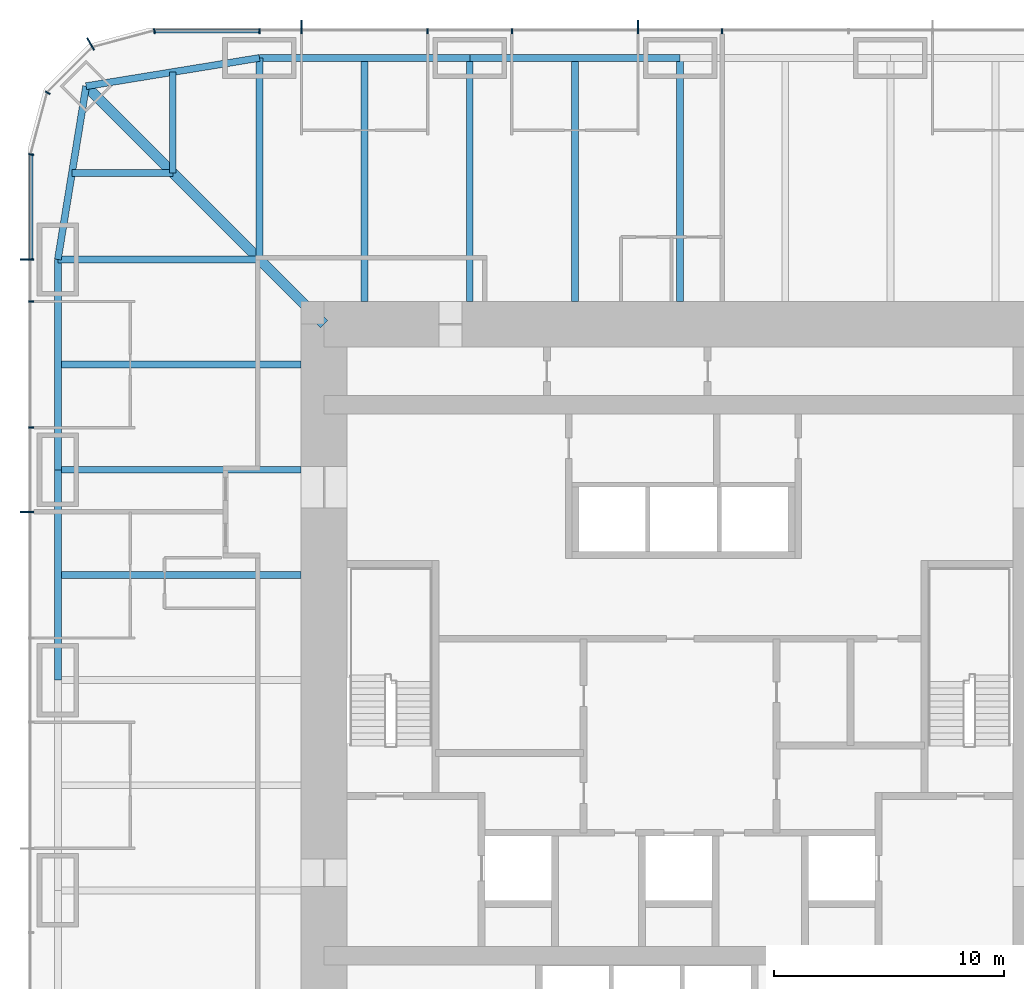
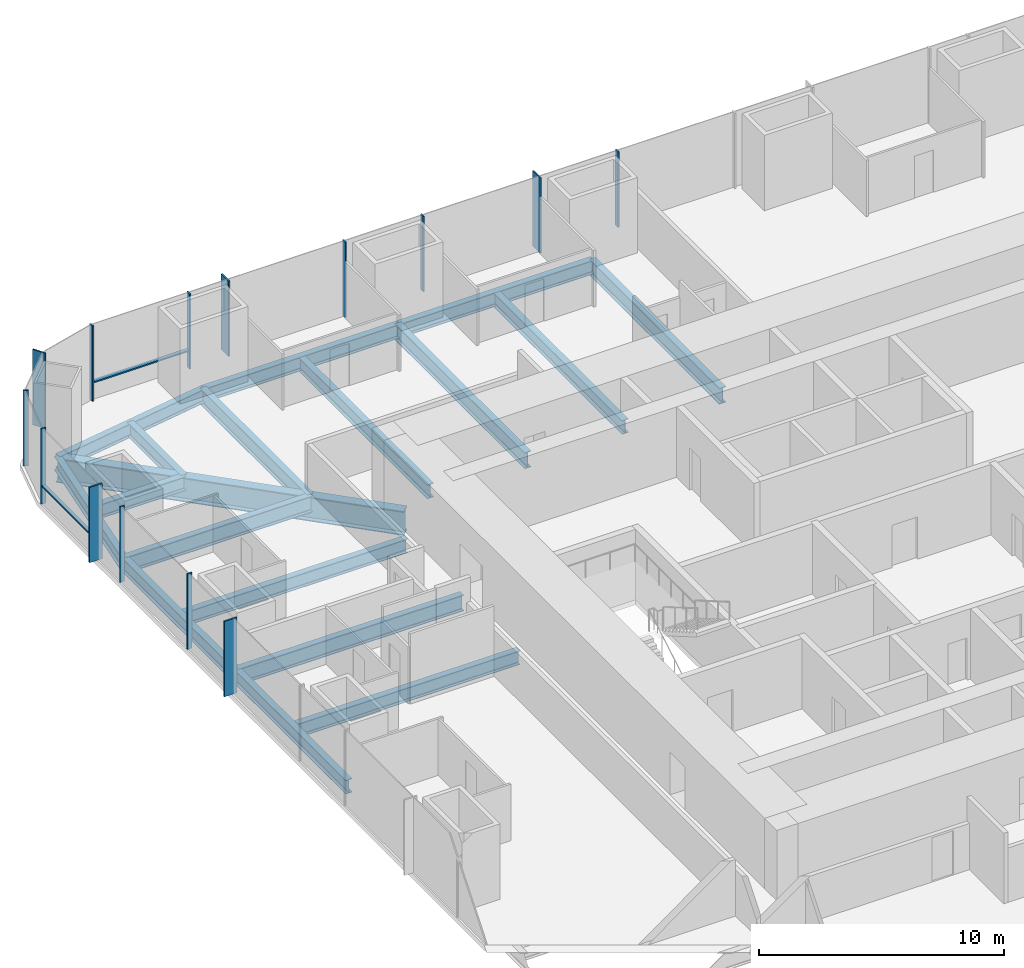
# One storey, part 4 of 11: 18 beams, 16 members, 3 elements without a shape of their own.
"""IFC4 building model written with IfcOpenShell, lengths in metres."""

from ifc_helpers import new_model, si_unit, direction, frame, origin, origin_2d, place, context, subcontext, project, spatial, rectangle, i_section, extrude, material, material_profile, profile_set, type_object, element, aggregate, save


model = new_model("IFC4")

# Units and contexts
model_context = context("Model", 3, precision=1e-05, world=origin(), true_north=direction((0.0, 1.0)))
body_context = subcontext(model_context, "Body", "Model", "MODEL_VIEW")
ifc_project = project(units=[si_unit("LENGTHUNIT", "METRE"), si_unit("AREAUNIT", "SQUARE_METRE"), si_unit("VOLUMEUNIT", "CUBIC_METRE"), si_unit("PLANEANGLEUNIT", "RADIAN"), si_unit("MASSUNIT", "GRAM", prefix="KILO")], contexts=[model_context])

# Site, building, storey
site_placement = place(None, origin())
site = spatial("IfcSite", under=ifc_project, at=site_placement, CompositionType="ELEMENT")
building_placement = place(site_placement, origin())
building = spatial("IfcBuilding", under=site, at=building_placement, Name="Khuree Lantern Residences", CompositionType="ELEMENT")
storey_placement = place(building_placement, frame((0.0, 0.0, 171.0)))
storey = spatial("IfcBuildingStorey", under=building, at=storey_placement, Name="L43", CompositionType="ELEMENT", Elevation=171.0)

# Beams
ifc_material_1 = material(Name="Steel S355", Category="steel")
ifc_material_profile_1 = material_profile(ifc_material_1, i_section(OverallWidth=0.300048828125, OverallDepth=0.68994140625, WebThickness=0.014404296875, FlangeThickness=0.027099609375, FilletRadius=0.027099609375, at=origin_2d()), Name="HE 700 A")
ifc_profile_set_1 = profile_set([ifc_material_profile_1], Name="Steel S355")
beam_type_1 = type_object("IfcBeamType", Name="B-25A SECONDARY BEAM HE 700 A", PredefinedType="BEAM", material=ifc_profile_set_1)
for number, where, z_axis, x_axis, name in (
    (1, (-13.739990234375, 27.10009765625, -0.594970703125), (0.0, -1.0, 0.0), (1.0, 0.0, 0.0), "Secondary beam N1"),
    (2, (-4.580078125, 27.10009765625, -0.594970703125), (0.0, -1.0, 0.0), (1.0, 0.0, 0.0), "Secondary beam N2"),
    (3, (-27.10009765625, 4.580078125, -0.594970703125), (1.0, 0.0, 0.0), (0.0, 1.0, 0.0), "Secondary beam W4"),
    (4, (-27.10009765625, 13.739990234375, -0.594970703125), (1.0, 0.0, 0.0), (0.0, 1.0, 0.0), "Secondary beam W5"),
):
    element("IfcBeam", number, at=place(storey_placement, frame(where, z_axis=z_axis, x_axis=x_axis)), inside=storey, type_object=beam_type_1, Name=name, PredefinedType="BEAM", context=body_context, shape_type="SweptSolid", body=[
        extrude(i_section(OverallWidth=0.300048828125, OverallDepth=0.68994140625, WebThickness=0.014404296875, FlangeThickness=0.027099609375, FilletRadius=0.027099609375, at=origin_2d()), origin(), (0.0, 0.0, 1.0), 10.60009765625),
    ])
for number, where, z_axis, x_axis, name in (
    (5, (-26.48486328125, 22.094970703125, -0.594970703125), (1.0, 0.0, 0.0), (0.0, 1.0, 0.0), "Secondary beam W6"),
    (6, (-22.094970703125, 26.48486328125, -0.594970703125), (0.0, -1.0, 0.0), (1.0, 0.0, 0.0), "Secondary beam N6"),
):
    element("IfcBeam", number, at=place(storey_placement, frame(where, z_axis=z_axis, x_axis=x_axis)), inside=storey, type_object=beam_type_1, Name=name, PredefinedType="BEAM", context=body_context, shape_type="SweptSolid", body=[
        extrude(i_section(OverallWidth=0.300048828125, OverallDepth=0.68994140625, WebThickness=0.014404296875, FlangeThickness=0.027099609375, FilletRadius=0.027099609375, at=origin_2d()), origin(), (0.0, 0.0, 1.0), 4.389892578125),
    ])
ifc_material_profile_2 = material_profile(ifc_material_1, i_section(OverallWidth=0.300048828125, OverallDepth=0.68994140625, WebThickness=0.014404296875, FlangeThickness=0.027099609375, FilletRadius=0.027099609375, at=origin_2d()), Name="HE 700 A")
ifc_profile_set_2 = profile_set([ifc_material_profile_2], Name="Steel S355")
beam_type_2 = type_object("IfcBeamType", Name="E-25 SPANDREL BEAM HE 700 A", PredefinedType="SPANDREL", material=ifc_profile_set_2)
beam_1_placement = place(storey_placement, frame((-18.320068359375, 27.10009765625, -0.594970703125), z_axis=(1.0, 0.0, 0.0), x_axis=(0.0, 1.0, 0.0)))
element("IfcBeam", 7, at=beam_1_placement, inside=storey, type_object=beam_type_2, Name="Spandrel beam N1", PredefinedType="SPANDREL", context=body_context, shape_type="SweptSolid", body=[
    extrude(i_section(OverallWidth=0.300048828125, OverallDepth=0.68994140625, WebThickness=0.014404296875, FlangeThickness=0.027099609375, FilletRadius=0.027099609375, at=origin_2d()), origin(), (0.0, 0.0, 1.0), 9.16015625),
])
for number, where, z_axis, x_axis, name in (
    (8, (-9.159912109375, 27.10009765625, -0.594970703125), (1.0, 0.0, 0.0), (0.0, 1.0, 0.0), "Spandrel beam N2"),
    (9, (-27.10009765625, 0.0, -0.594970703125), (0.0, 1.0, 0.0), (-1.0, 0.0, 0.0), "Spandrel beam W4"),
):
    element("IfcBeam", number, at=place(storey_placement, frame(where, z_axis=z_axis, x_axis=x_axis)), inside=storey, type_object=beam_type_2, Name=name, PredefinedType="SPANDREL", context=body_context, shape_type="SweptSolid", body=[
        extrude(i_section(OverallWidth=0.300048828125, OverallDepth=0.68994140625, WebThickness=0.014404296875, FlangeThickness=0.027099609375, FilletRadius=0.027099609375, at=origin_2d()), origin(), (0.0, 0.0, 1.0), 9.159912109375),
    ])
beam_2_placement = place(storey_placement, frame((-27.10009765625, 9.159912109375, -0.594970703125), z_axis=(0.0, 1.0, 0.0), x_axis=(-1.0, 0.0, 0.0)))
element("IfcBeam", 10, at=beam_2_placement, inside=storey, type_object=beam_type_2, Name="Spandrel beam W5", PredefinedType="SPANDREL", context=body_context, shape_type="SweptSolid", body=[
    extrude(i_section(OverallWidth=0.300048828125, OverallDepth=0.68994140625, WebThickness=0.014404296875, FlangeThickness=0.027099609375, FilletRadius=0.027099609375, at=origin_2d()), origin(), (0.0, 0.0, 1.0), 9.16015625),
])
for number, where, z_axis, x_axis, name in (
    (11, (-27.10009765625, 18.320068359375, -0.594970703125), (0.160826723833, 0.986982656839, 0.0), (-0.986982656839, 0.160826723833, 0.0), "Spandrel beam W6"),
    (12, (-25.869873046875, 25.869873046875, -0.594970703125), (0.986982656839, 0.160826723833, 0.0), (-0.160826723833, 0.986982656839, 0.0), "Spandrel beam N6"),
):
    element("IfcBeam", number, at=place(storey_placement, frame(where, z_axis=z_axis, x_axis=x_axis)), inside=storey, type_object=beam_type_2, Name=name, PredefinedType="SPANDREL", context=body_context, shape_type="SweptSolid", body=[
        extrude(i_section(OverallWidth=0.300048828125, OverallDepth=0.68994140625, WebThickness=0.014404296875, FlangeThickness=0.027099609375, FilletRadius=0.027099609375, at=origin_2d()), origin(), (0.0, 0.0, 1.0), 7.6494140625),
    ])

# Curtain wall, members
ifc_material_2 = material(Name="Bronze anodised aluminium", Category="aluminium")
curtain_wall_type_1 = type_object("IfcCurtainWallType", Name="CW-T1 TOWER FACE CURTAIN WALL", PredefinedType="USERDEFINED", material=ifc_material_2)
curtain_wall_1_placement = place(storey_placement, origin())
curtain_wall_1 = element("IfcCurtainWall", 13, at=curtain_wall_1_placement, inside=storey, type_object=curtain_wall_type_1, Name="L43 NORTH FACE CURTAIN WALL", ObjectType="Stick-built curtain wall", PredefinedType="USERDEFINED")
ifc_material_profile_3 = material_profile(ifc_material_2, rectangle(XDim=0.06494140625, YDim=0.60009765625, at=origin_2d()), Name="F1 65X600")
ifc_profile_set_3 = profile_set([ifc_material_profile_3], Name="Bronze anodised aluminium")
member_type_1 = type_object("IfcMemberType", Name="F1 BRONZE FIN MULLION TOWER 65X600", PredefinedType="MULLION", material=ifc_profile_set_3)
member_1_placement = place(storey_placement, frame((-1.83203125, 28.449951171875, 0.0), z_axis=(0.0, 0.0, 1.0), x_axis=(-1.0, 0.0, 0.0)))
member_1 = element("IfcMember", 14, at=member_1_placement, type_object=member_type_1, Name="L43 NORTH FACE FIN MULLION 24", PredefinedType="MULLION", context=body_context, shape_type="SweptSolid", body=[
    extrude(rectangle(XDim=0.06494140625, YDim=0.60009765625, at=origin_2d()), origin(), (0.0, 0.0, 1.0), 3.75),
])
member_2_placement = place(storey_placement, frame((-16.488037109375, 28.449951171875, 0.0), z_axis=(0.0, 0.0, 1.0), x_axis=(-1.0, 0.0, 0.0)))
member_2 = element("IfcMember", 15, at=member_2_placement, type_object=member_type_1, Name="L43 NORTH FACE FIN MULLION 27", PredefinedType="MULLION", context=body_context, shape_type="SweptSolid", body=[
    extrude(rectangle(XDim=0.06494140625, YDim=0.60009765625, at=origin_2d()), origin(), (0.0, 0.0, 1.0), 3.75),
])

# Curtain wall, member
curtain_wall_type_2 = type_object("IfcCurtainWallType", Name="CW-T2 TOWER CORNER CURTAIN WALL", PredefinedType="USERDEFINED", material=ifc_material_2)
curtain_wall_2_placement = place(storey_placement, origin())
curtain_wall_2 = element("IfcCurtainWall", 16, at=curtain_wall_2_placement, inside=storey, type_object=curtain_wall_type_2, Name="L43 NORTH-WEST CORNER CURTAIN WALL", ObjectType="Faceted corner curtain wall", PredefinedType="USERDEFINED")
member_3_placement = place(storey_placement, frame((-25.675048828125, 27.70654296875, 0.0), z_axis=(0.0, 0.0, 1.0), x_axis=(-0.866025388199, -0.500000026995, 0.0)))
member_3 = element("IfcMember", 17, at=member_3_placement, type_object=member_type_1, Name="L43 NORTH-WEST CORNER FIN MULLION 30", PredefinedType="MULLION", context=body_context, shape_type="SweptSolid", body=[
    extrude(rectangle(XDim=0.06494140625, YDim=0.60009765625, at=origin_2d()), origin(), (0.0, 0.0, 1.0), 3.75),
])

# Curtain wall, members
curtain_wall_3_placement = place(storey_placement, origin())
curtain_wall_3 = element("IfcCurtainWall", 18, at=curtain_wall_3_placement, inside=storey, type_object=curtain_wall_type_1, Name="L43 WEST FACE CURTAIN WALL", ObjectType="Stick-built curtain wall", PredefinedType="USERDEFINED")
member_4_placement = place(storey_placement, frame((-28.449951171875, 18.320068359375, 0.0), z_axis=(0.0, 0.0, 1.0), x_axis=(0.0, -1.0, 0.0)))
member_4 = element("IfcMember", 19, at=member_4_placement, type_object=member_type_1, Name="L43 WEST FACE FIN MULLION 33", PredefinedType="MULLION", context=body_context, shape_type="SweptSolid", body=[
    extrude(rectangle(XDim=0.06494140625, YDim=0.60009765625, at=origin_2d()), origin(), (0.0, 0.0, 1.0), 3.75),
])
member_5_placement = place(storey_placement, frame((-28.449951171875, 7.327880859375, 0.0), z_axis=(0.0, 0.0, 1.0), x_axis=(0.0, -1.0, 0.0)))
member_5 = element("IfcMember", 20, at=member_5_placement, type_object=member_type_1, Name="L43 WEST FACE FIN MULLION 36", PredefinedType="MULLION", context=body_context, shape_type="SweptSolid", body=[
    extrude(rectangle(XDim=0.06494140625, YDim=0.60009765625, at=origin_2d()), origin(), (0.0, 0.0, 1.0), 3.75),
])

# Beams
ifc_material_profile_4 = material_profile(ifc_material_1, i_section(OverallWidth=0.300048828125, OverallDepth=0.800048828125, WebThickness=0.017578125, FlangeThickness=0.032958984375, FilletRadius=0.030029296875, at=origin_2d()), Name="HE 800 B")
ifc_profile_set_4 = profile_set([ifc_material_profile_4], Name="Steel S355")
beam_type_3 = type_object("IfcBeamType", Name="G-25A GIRDER HE 800 B", PredefinedType="BEAM", material=ifc_profile_set_4)
beam_3_placement = place(storey_placement, frame((-18.320068359375, 27.10009765625, -0.64990234375), z_axis=(0.0, -1.0, 0.0), x_axis=(1.0, 0.0, 0.0)))
element("IfcBeam", 21, at=beam_3_placement, inside=storey, type_object=beam_type_3, Name="Girder N1", PredefinedType="BEAM", context=body_context, shape_type="SweptSolid", body=[
    extrude(i_section(OverallWidth=0.300048828125, OverallDepth=0.800048828125, WebThickness=0.017578125, FlangeThickness=0.032958984375, FilletRadius=0.030029296875, at=origin_2d()), origin(), (0.0, 0.0, 1.0), 8.780029296875),
])
for number, where, z_axis, x_axis, name in (
    (22, (-9.159912109375, 27.10009765625, -0.64990234375), (0.0, -1.0, 0.0), (1.0, 0.0, 0.0), "Girder N2"),
    (23, (0.0, 27.10009765625, -0.64990234375), (0.0, -1.0, 0.0), (1.0, 0.0, 0.0), "Girder N3"),
    (24, (-27.10009765625, 9.159912109375, -0.64990234375), (1.0, 0.0, 0.0), (0.0, 1.0, 0.0), "Girder W4"),
):
    element("IfcBeam", number, at=place(storey_placement, frame(where, z_axis=z_axis, x_axis=x_axis)), inside=storey, type_object=beam_type_3, Name=name, PredefinedType="BEAM", context=body_context, shape_type="SweptSolid", body=[
        extrude(i_section(OverallWidth=0.300048828125, OverallDepth=0.800048828125, WebThickness=0.017578125, FlangeThickness=0.032958984375, FilletRadius=0.030029296875, at=origin_2d()), origin(), (0.0, 0.0, 1.0), 10.60009765625),
    ])
beam_4_placement = place(storey_placement, frame((-27.10009765625, 18.320068359375, -0.64990234375), z_axis=(1.0, 0.0, 0.0), x_axis=(0.0, 1.0, 0.0)))
element("IfcBeam", 25, at=beam_4_placement, inside=storey, type_object=beam_type_3, Name="Girder W5", PredefinedType="BEAM", context=body_context, shape_type="SweptSolid", body=[
    extrude(i_section(OverallWidth=0.300048828125, OverallDepth=0.800048828125, WebThickness=0.017578125, FlangeThickness=0.032958984375, FilletRadius=0.030029296875, at=origin_2d()), origin(), (0.0, 0.0, 1.0), 8.780029296875),
])
ifc_material_profile_5 = material_profile(ifc_material_1, i_section(OverallWidth=0.449951171875, OverallDepth=1.199951171875, WebThickness=0.02490234375, FlangeThickness=0.044921875, at=origin_2d()), Name="WELDED I 1200X450X25X45")
ifc_profile_set_5 = profile_set([ifc_material_profile_5], Name="Steel S355")
beam_type_4 = type_object("IfcBeamType", Name="GD-25 CORNER GIRDER WELDED I 1200X450X25X45", PredefinedType="BEAM", material=ifc_profile_set_5)
beam_5_placement = place(storey_placement, frame((-25.869873046875, 25.869873046875, -0.85009765625), z_axis=(0.707106781187, -0.707106781187, 0.0), x_axis=(0.707106781187, 0.707106781187, 0.0)))
element("IfcBeam", 26, at=beam_5_placement, inside=storey, type_object=beam_type_4, Name="Corner girder NW", PredefinedType="BEAM", context=body_context, shape_type="SweptSolid", body=[
    extrude(i_section(OverallWidth=0.449951171875, OverallDepth=1.199951171875, WebThickness=0.02490234375, FlangeThickness=0.044921875, at=origin_2d()), origin(), (0.0, 0.0, 1.0), 14.665283203125),
])

# Member
ifc_material_profile_6 = material_profile(ifc_material_2, rectangle(XDim=0.06494140625, YDim=0.219970703125, at=origin_2d()), Name="M1 65X220")
ifc_profile_set_6 = profile_set([ifc_material_profile_6], Name="Bronze anodised aluminium")
member_type_2 = type_object("IfcMemberType", Name="M1 BRONZE MULLION TOWER 65X220", PredefinedType="MULLION", material=ifc_profile_set_6)
member_6_placement = place(storey_placement, frame((1.83203125, 28.260009765625, 0.0), z_axis=(0.0, 0.0, 1.0), x_axis=(-1.0, 0.0, 0.0)))
member_6 = element("IfcMember", 27, at=member_6_placement, type_object=member_type_2, Name="L43 NORTH FACE MULLION 23", PredefinedType="MULLION", context=body_context, shape_type="SweptSolid", body=[
    extrude(rectangle(XDim=0.06494140625, YDim=0.219970703125, at=origin_2d()), origin(), (0.0, 0.0, 1.0), 3.75),
])

member_7_placement = place(storey_placement, frame((-7.327880859375, 28.260009765625, 0.0), z_axis=(0.0, 0.0, 1.0), x_axis=(-1.0, 0.0, 0.0)))
member_7 = element("IfcMember", 28, at=member_7_placement, type_object=member_type_2, Name="L43 NORTH FACE MULLION 25", PredefinedType="MULLION", context=body_context, shape_type="SweptSolid", body=[
    extrude(rectangle(XDim=0.06494140625, YDim=0.219970703125, at=origin_2d()), origin(), (0.0, 0.0, 1.0), 3.75),
])

member_8_placement = place(storey_placement, frame((-10.991943359375, 28.260009765625, 0.0), z_axis=(0.0, 0.0, 1.0), x_axis=(-1.0, 0.0, 0.0)))
member_8 = element("IfcMember", 29, at=member_8_placement, type_object=member_type_2, Name="L43 NORTH FACE MULLION 26", PredefinedType="MULLION", context=body_context, shape_type="SweptSolid", body=[
    extrude(rectangle(XDim=0.06494140625, YDim=0.219970703125, at=origin_2d()), origin(), (0.0, 0.0, 1.0), 3.75),
])

member_9_placement = place(storey_placement, frame((-18.320068359375, 28.260009765625, 0.0), z_axis=(0.0, 0.0, 1.0), x_axis=(-1.0, 0.0, 0.0)))
member_9 = element("IfcMember", 30, at=member_9_placement, type_object=member_type_2, Name="L43 NORTH FACE MULLION 28", PredefinedType="MULLION", context=body_context, shape_type="SweptSolid", body=[
    extrude(rectangle(XDim=0.06494140625, YDim=0.219970703125, at=origin_2d()), origin(), (0.0, 0.0, 1.0), 3.75),
])

member_10_placement = place(storey_placement, frame((-22.89501953125, 28.26171875, 0.0), z_axis=(0.0, 0.0, 1.0), x_axis=(-0.991444857305, -0.130526223125, 0.0)))
member_10 = element("IfcMember", 31, at=member_10_placement, type_object=member_type_2, Name="L43 NORTH-WEST CORNER MULLION 29", PredefinedType="MULLION", context=body_context, shape_type="SweptSolid", body=[
    extrude(rectangle(XDim=0.06494140625, YDim=0.219970703125, at=origin_2d()), origin(), (0.0, 0.0, 1.0), 3.75),
])

member_11_placement = place(storey_placement, frame((-27.5419921875, 25.580078125, 0.0), z_axis=(0.0, 0.0, 1.0), x_axis=(-0.500000026995, -0.866025388199, 0.0)))
member_11 = element("IfcMember", 32, at=member_11_placement, type_object=member_type_2, Name="L43 NORTH-WEST CORNER MULLION 31", PredefinedType="MULLION", context=body_context, shape_type="SweptSolid", body=[
    extrude(rectangle(XDim=0.06494140625, YDim=0.219970703125, at=origin_2d()), origin(), (0.0, 0.0, 1.0), 3.75),
])

aggregate(curtain_wall_2, [member_10, member_3, member_11])

member_12_placement = place(storey_placement, frame((-28.26171875, 22.89501953125, 0.0), z_axis=(0.0, 0.0, 1.0), x_axis=(-0.130526223125, -0.991444857305, 0.0)))
member_12 = element("IfcMember", 33, at=member_12_placement, type_object=member_type_2, Name="L43 WEST FACE MULLION 32", PredefinedType="MULLION", context=body_context, shape_type="SweptSolid", body=[
    extrude(rectangle(XDim=0.06494140625, YDim=0.219970703125, at=origin_2d()), origin(), (0.0, 0.0, 1.0), 3.75),
])

member_13_placement = place(storey_placement, frame((-28.260009765625, 16.488037109375, 0.0), z_axis=(0.0, 0.0, 1.0), x_axis=(0.0, -1.0, 0.0)))
member_13 = element("IfcMember", 34, at=member_13_placement, type_object=member_type_2, Name="L43 WEST FACE MULLION 34", PredefinedType="MULLION", context=body_context, shape_type="SweptSolid", body=[
    extrude(rectangle(XDim=0.06494140625, YDim=0.219970703125, at=origin_2d()), origin(), (0.0, 0.0, 1.0), 3.75),
])

member_14_placement = place(storey_placement, frame((-28.260009765625, 10.991943359375, 0.0), z_axis=(0.0, 0.0, 1.0), x_axis=(0.0, -1.0, 0.0)))
member_14 = element("IfcMember", 35, at=member_14_placement, type_object=member_type_2, Name="L43 WEST FACE MULLION 35", PredefinedType="MULLION", context=body_context, shape_type="SweptSolid", body=[
    extrude(rectangle(XDim=0.06494140625, YDim=0.219970703125, at=origin_2d()), origin(), (0.0, 0.0, 1.0), 3.75),
])

ifc_material_profile_7 = material_profile(ifc_material_2, rectangle(XDim=0.179931640625, YDim=0.06494140625, at=origin_2d()), Name="T1 180X65")
ifc_profile_set_7 = profile_set([ifc_material_profile_7], Name="Bronze anodised aluminium")
member_type_3 = type_object("IfcMemberType", Name="TRANSOM T1 TOWER 180X65", PredefinedType="USERDEFINED", material=ifc_profile_set_7)
member_15_placement = place(storey_placement, frame((-18.3525390625, 28.27001953125, 0.89990234375), z_axis=(-1.0, 0.0, 0.0), x_axis=(0.0, -1.0, 0.0)))
member_15 = element("IfcMember", 36, at=member_15_placement, type_object=member_type_3, Name="L43 NORTH FACE TRANSOM 28.1", ObjectType="Transom", PredefinedType="USERDEFINED", context=body_context, shape_type="SweptSolid", body=[
    extrude(rectangle(XDim=0.179931640625, YDim=0.06494140625, at=origin_2d()), origin(), (0.0, 0.0, 1.0), 4.498779296875),
])

aggregate(curtain_wall_1, [member_6, member_1, member_7, member_8, member_2, member_9, member_15])

member_16_placement = place(storey_placement, frame((-28.27001953125, 22.851318359375, 0.89990234375), z_axis=(0.0, -1.0, 0.0), x_axis=(1.0, 0.0, 0.0)))
member_16 = element("IfcMember", 37, at=member_16_placement, type_object=member_type_3, Name="L43 WEST FACE TRANSOM 32.1", ObjectType="Transom", PredefinedType="USERDEFINED", context=body_context, shape_type="SweptSolid", body=[
    extrude(rectangle(XDim=0.179931640625, YDim=0.06494140625, at=origin_2d()), origin(), (0.0, 0.0, 1.0), 4.498779296875),
])

aggregate(curtain_wall_3, [member_12, member_4, member_13, member_14, member_5, member_16])

save(model, "model.ifc")
